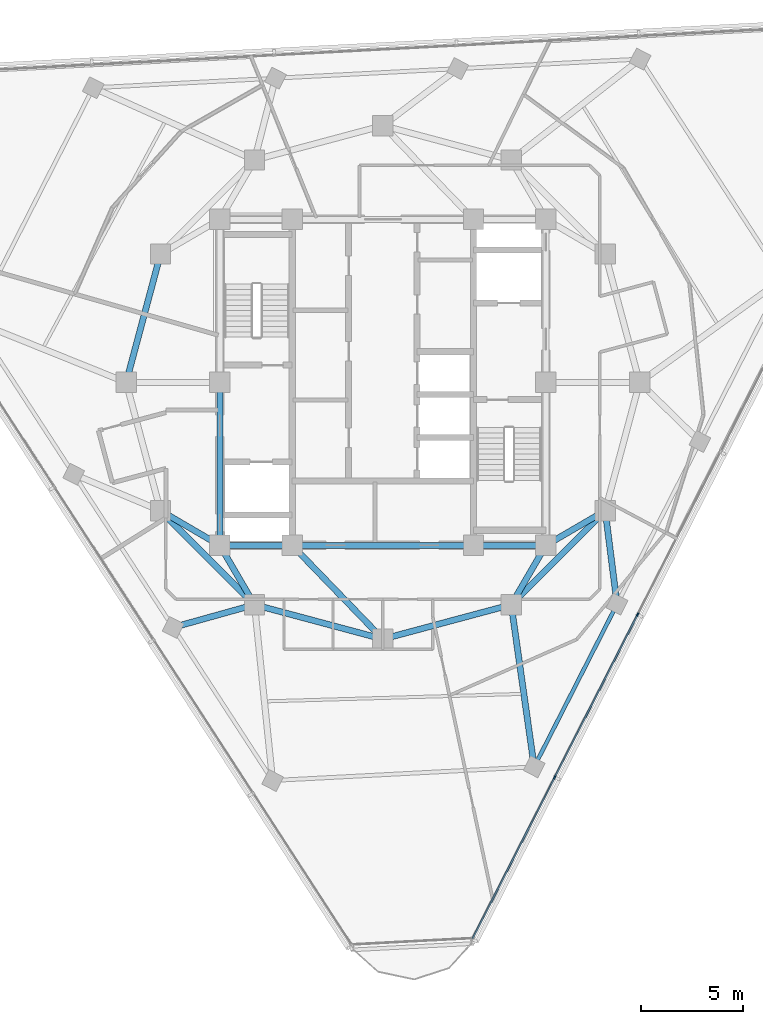
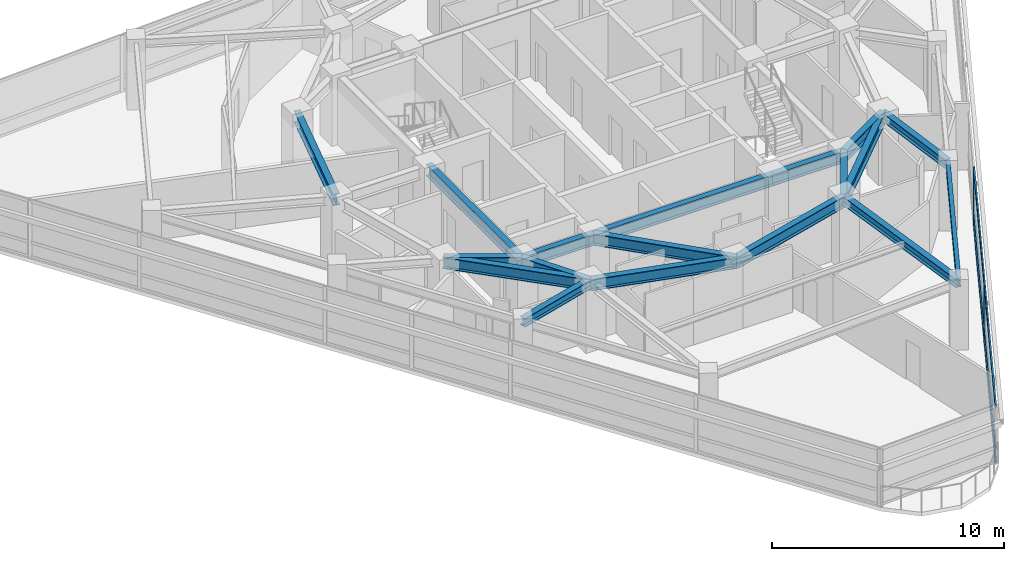
# One storey, part 3 of 15: 18 beams, 8 members, 1 element without a shape of its own.
"""IFC4 building model written with IfcOpenShell, lengths in metres."""

from ifc_helpers import new_model, si_unit, direction, frame, origin, origin_2d, place, context, subcontext, project, spatial, rectangle, i_section, extrude, material, layer, layer_set, material_profile, profile_set, type_object, element, aggregate, save


model = new_model("IFC4")

# Units and contexts
model_context = context("Model", 3, precision=1e-05, world=origin(), true_north=direction((0.0, 1.0)))
body_context = subcontext(model_context, "Body", "Model", "MODEL_VIEW")
ifc_project = project(units=[si_unit("LENGTHUNIT", "METRE"), si_unit("AREAUNIT", "SQUARE_METRE"), si_unit("VOLUMEUNIT", "CUBIC_METRE"), si_unit("PLANEANGLEUNIT", "RADIAN"), si_unit("MASSUNIT", "GRAM", prefix="KILO")], contexts=[model_context])

# Site, building, storey
site_placement = place(None, origin())
site = spatial("IfcSite", under=ifc_project, at=site_placement, CompositionType="ELEMENT")
building_placement = place(site_placement, origin())
building = spatial("IfcBuilding", under=site, at=building_placement, Name="Terralouvre Media Tower", CompositionType="ELEMENT")
storey_placement = place(building_placement, frame((0.0, 0.0, 259.60009765625)))
storey = spatial("IfcBuildingStorey", under=building, at=storey_placement, Name="L67", CompositionType="ELEMENT", Elevation=259.60009765625)

# Curtain wall, members
ifc_material_1 = material(Name="Low-iron laminated double glazing with solar-control coating", Category="glass")
ifc_layer = layer(ifc_material_1, 0.1650390625, Name="Upper Executive Tower Curtain Wall CW-05")
ifc_layer_set = layer_set([ifc_layer], Name="Low-iron laminated double glazing with solar-control coating")
curtain_wall_type = type_object("IfcCurtainWallType", Name="Upper Executive Tower Curtain Wall CW-05", PredefinedType="NOTDEFINED", material=ifc_layer_set)
curtain_wall_placement = place(storey_placement, origin())
curtain_wall = element("IfcCurtainWall", 1, at=curtain_wall_placement, inside=storey, type_object=curtain_wall_type, Name="L67 Facade Curtain Wall F0", PredefinedType="NOTDEFINED")
ifc_material_2 = material(Name="Anodised extruded aluminium 6063-T6", Category="aluminium")
ifc_material_profile_1 = material_profile(ifc_material_2, rectangle(XDim=0.074951171875, YDim=0.14990234375, at=origin_2d()), Name="ALU 75x150")
ifc_profile_set_1 = profile_set([ifc_material_profile_1], Name="Anodised extruded aluminium 6063-T6")
member_type_1 = type_object("IfcMemberType", Name="Curtain-Wall Horizontal Transom TR-150", PredefinedType="USERDEFINED", material=ifc_profile_set_1)
member_1_placement = place(storey_placement, frame((4.3994140625, -27.297607421875, 0.037353515625), z_axis=(0.453977864671, 0.891012961964, 0.0), x_axis=(-0.891012961964, 0.453977864671, 0.0)))
member_1 = element("IfcMember", 2, at=member_1_placement, type_object=member_type_1, Name="CW-05 transom 1.1", ObjectType="TRANSOM", PredefinedType="USERDEFINED", context=body_context, shape_type="SweptSolid", body=[
    extrude(rectangle(XDim=0.074951171875, YDim=0.14990234375, at=origin_2d()), origin(), (0.0, 0.0, 1.0), 8.84765625),
])
member_2_placement = place(storey_placement, frame((4.3994140625, -27.297607421875, 0.7998046875), z_axis=(0.453977864671, 0.891012961964, 0.0), x_axis=(-0.891012961964, 0.453977864671, 0.0)))
member_2 = element("IfcMember", 3, at=member_2_placement, type_object=member_type_1, Name="CW-05 transom 1.2", ObjectType="TRANSOM", PredefinedType="USERDEFINED", context=body_context, shape_type="SweptSolid", body=[
    extrude(rectangle(XDim=0.074951171875, YDim=0.14990234375, at=origin_2d()), origin(), (0.0, 0.0, 1.0), 8.84765625),
])
member_3_placement = place(storey_placement, frame((4.3994140625, -27.297607421875, 2.96240234375), z_axis=(0.453977864671, 0.891012961964, 0.0), x_axis=(-0.891012961964, 0.453977864671, 0.0)))
member_3 = element("IfcMember", 4, at=member_3_placement, type_object=member_type_1, Name="CW-05 transom 1.3", ObjectType="TRANSOM", PredefinedType="USERDEFINED", context=body_context, shape_type="SweptSolid", body=[
    extrude(rectangle(XDim=0.074951171875, YDim=0.14990234375, at=origin_2d()), origin(), (0.0, 0.0, 1.0), 8.84765625),
])
member_4_placement = place(storey_placement, frame((8.449951171875, -19.347412109375, 0.037353515625), z_axis=(0.454015101289, 0.890993988645, 0.0), x_axis=(-0.890993988645, 0.454015101289, 0.0)))
member_4 = element("IfcMember", 5, at=member_4_placement, type_object=member_type_1, Name="CW-05 transom 2.1", ObjectType="TRANSOM", PredefinedType="USERDEFINED", context=body_context, shape_type="SweptSolid", body=[
    extrude(rectangle(XDim=0.074951171875, YDim=0.14990234375, at=origin_2d()), origin(), (0.0, 0.0, 1.0), 8.885009765625),
])
member_5_placement = place(storey_placement, frame((8.449951171875, -19.347412109375, 0.7998046875), z_axis=(0.454015101289, 0.890993988645, 0.0), x_axis=(-0.890993988645, 0.454015101289, 0.0)))
member_5 = element("IfcMember", 6, at=member_5_placement, type_object=member_type_1, Name="CW-05 transom 2.2", ObjectType="TRANSOM", PredefinedType="USERDEFINED", context=body_context, shape_type="SweptSolid", body=[
    extrude(rectangle(XDim=0.074951171875, YDim=0.14990234375, at=origin_2d()), origin(), (0.0, 0.0, 1.0), 8.885009765625),
])
member_6_placement = place(storey_placement, frame((8.449951171875, -19.347412109375, 2.96240234375), z_axis=(0.454015101289, 0.890993988645, 0.0), x_axis=(-0.890993988645, 0.454015101289, 0.0)))
member_6 = element("IfcMember", 7, at=member_6_placement, type_object=member_type_1, Name="CW-05 transom 2.3", ObjectType="TRANSOM", PredefinedType="USERDEFINED", context=body_context, shape_type="SweptSolid", body=[
    extrude(rectangle(XDim=0.074951171875, YDim=0.14990234375, at=origin_2d()), origin(), (0.0, 0.0, 1.0), 8.885009765625),
])
ifc_material_3 = material(Name="Anodised extruded aluminium 6063-T6", Category="aluminium")
ifc_material_profile_2 = material_profile(ifc_material_3, rectangle(XDim=0.074951171875, YDim=0.179931640625, at=origin_2d()), Name="ALU 75x180")
ifc_profile_set_2 = profile_set([ifc_material_profile_2], Name="Anodised extruded aluminium 6063-T6")
member_type_2 = type_object("IfcMemberType", Name="Curtain-Wall Vertical Mullion ML-180", PredefinedType="MULLION", material=ifc_profile_set_2)
member_7_placement = place(storey_placement, frame((8.43310546875, -19.380859375, 0.0), z_axis=(0.0, 0.0, 1.0), x_axis=(-0.891006553308, 0.45399044259, 0.0)))
member_7 = element("IfcMember", 8, at=member_7_placement, type_object=member_type_2, Name="CW-05 mullion 2", PredefinedType="MULLION", context=body_context, shape_type="SweptSolid", body=[
    extrude(rectangle(XDim=0.074951171875, YDim=0.179931640625, at=origin_2d()), origin(), (0.0, 0.0, 1.0), 3.0),
])
member_8_placement = place(storey_placement, frame((12.500732421875, -11.3974609375, 0.0), z_axis=(0.0, 0.0, 1.0), x_axis=(-0.891006553308, 0.45399044259, 0.0)))
member_8 = element("IfcMember", 9, at=member_8_placement, type_object=member_type_2, Name="CW-05 mullion 3", PredefinedType="MULLION", context=body_context, shape_type="SweptSolid", body=[
    extrude(rectangle(XDim=0.074951171875, YDim=0.179931640625, at=origin_2d()), origin(), (0.0, 0.0, 1.0), 3.0),
])
aggregate(curtain_wall, [member_7, member_8, member_1, member_2, member_3, member_4, member_5, member_6])

# Beams
ifc_material_4 = material(Name="Structural steel S355J2", Category="steel")
ifc_material_profile_3 = material_profile(ifc_material_4, i_section(OverallWidth=0.18994140625, OverallDepth=0.449951171875, WebThickness=0.009521484375, FlangeThickness=0.0146484375, at=origin_2d()), Name="IPE 450")
ifc_profile_set_3 = profile_set([ifc_material_profile_3], Name="Structural steel S355J2")
beam_type_1 = type_object("IfcBeamType", Name="Perimeter Spandrel Beam SPB-450 (IPE 450)", PredefinedType="SPANDREL", material=ifc_profile_set_3)
beam_1_placement = place(storey_placement, frame((7.42626953125, -18.867919921875, 3.27490234375), z_axis=(0.453980068772, 0.891011838955, 0.0), x_axis=(-0.891011838955, 0.453980068772, 0.0)))
element("IfcBeam", 10, at=beam_1_placement, inside=storey, type_object=beam_type_1, Name="L67 Framing Beam BM-L67-PR04", PredefinedType="SPANDREL", context=body_context, shape_type="SweptSolid", body=[
    extrude(i_section(OverallWidth=0.18994140625, OverallDepth=0.449951171875, WebThickness=0.009521484375, FlangeThickness=0.0146484375, at=origin_2d()), origin(), (0.0, 0.0, 1.0), 8.9599609375),
])
ifc_material_5 = material(Name="Structural steel S355J2", Category="steel")
ifc_material_profile_4 = material_profile(ifc_material_5, i_section(OverallWidth=0.300048828125, OverallDepth=0.449951171875, WebThickness=0.013916015625, FlangeThickness=0.02587890625, at=origin_2d()), Name="HEB 450")
ifc_profile_set_4 = profile_set([ifc_material_profile_4], Name="Structural steel S355J2")
beam_type_2 = type_object("IfcBeamType", Name="Primary Floor Girder B-HEB450 (HEB 450)", PredefinedType="BEAM", material=ifc_profile_set_4)
beam_2_placement = place(storey_placement, frame((-6.300048828125, -10.911865234375, 3.27490234375), z_axis=(-0.963188145668, -0.268828190571, 0.0), x_axis=(0.268828190571, -0.963188145668, 0.0)))
element("IfcBeam", 11, at=beam_2_placement, inside=storey, type_object=beam_type_2, Name="L67 Framing Beam BM-L67-RD02", PredefinedType="BEAM", context=body_context, shape_type="SweptSolid", body=[
    extrude(i_section(OverallWidth=0.300048828125, OverallDepth=0.449951171875, WebThickness=0.013916015625, FlangeThickness=0.02587890625, at=origin_2d()), origin(), (0.0, 0.0, 1.0), 4.145751953125),
])
beam_3_placement = place(storey_placement, frame((6.300048828125, -10.911865234375, 3.27490234375), z_axis=(0.140157905782, -0.990129164022, 0.0), x_axis=(0.990129164022, 0.140157905782, 0.0)))
element("IfcBeam", 12, at=beam_3_placement, inside=storey, type_object=beam_type_2, Name="L67 Framing Beam BM-L67-RD04", PredefinedType="BEAM", context=body_context, shape_type="SweptSolid", body=[
    extrude(i_section(OverallWidth=0.300048828125, OverallDepth=0.449951171875, WebThickness=0.013916015625, FlangeThickness=0.02587890625, at=origin_2d()), origin(), (0.0, 0.0, 1.0), 8.035400390625),
])
beam_4_placement = place(storey_placement, frame((10.911865234375, -6.300048828125, 3.27490234375), z_axis=(0.125946128673, -0.992037082307, 0.0), x_axis=(0.992037082307, 0.125946128673, 0.0)))
element("IfcBeam", 13, at=beam_4_placement, inside=storey, type_object=beam_type_2, Name="L67 Framing Beam BM-L67-RD05", PredefinedType="BEAM", context=body_context, shape_type="SweptSolid", body=[
    extrude(i_section(OverallWidth=0.300048828125, OverallDepth=0.449951171875, WebThickness=0.013916015625, FlangeThickness=0.02587890625, at=origin_2d()), origin(), (0.0, 0.0, 1.0), 4.621337890625),
])
ifc_material_6 = material(Name="Structural steel S460M", Category="steel")
ifc_material_profile_5 = material_profile(ifc_material_6, i_section(OverallWidth=0.300048828125, OverallDepth=0.60009765625, WebThickness=0.015380859375, FlangeThickness=0.030029296875, at=origin_2d()), Name="HEB 600")
ifc_profile_set_5 = profile_set([ifc_material_profile_5], Name="Structural steel S460M")
beam_type_3 = type_object("IfcBeamType", Name="Primary Floor Girder B-HEB600 (HEB 600)", PredefinedType="BEAM", material=ifc_profile_set_5)
beam_5_placement = place(storey_placement, frame((-8.0, -8.0, 3.199951171875), z_axis=(1.0, 0.0, 0.0), x_axis=(0.0, 1.0, 0.0)))
element("IfcBeam", 14, at=beam_5_placement, inside=storey, type_object=beam_type_3, Name="L67 Framing Beam BM-L67-CPR01", PredefinedType="BEAM", context=body_context, shape_type="SweptSolid", body=[
    extrude(i_section(OverallWidth=0.300048828125, OverallDepth=0.60009765625, WebThickness=0.015380859375, FlangeThickness=0.030029296875, at=origin_2d()), origin(), (0.0, 0.0, 1.0), 3.550048828125),
])
beam_6_placement = place(storey_placement, frame((-4.449951171875, -8.0, 3.199951171875), z_axis=(1.0, 0.0, 0.0), x_axis=(0.0, 1.0, 0.0)))
element("IfcBeam", 15, at=beam_6_placement, inside=storey, type_object=beam_type_3, Name="L67 Framing Beam BM-L67-CPR02", PredefinedType="BEAM", context=body_context, shape_type="SweptSolid", body=[
    extrude(i_section(OverallWidth=0.300048828125, OverallDepth=0.60009765625, WebThickness=0.015380859375, FlangeThickness=0.030029296875, at=origin_2d()), origin(), (0.0, 0.0, 1.0), 8.89990234375),
])
beam_7_placement = place(storey_placement, frame((4.449951171875, -8.0, 3.199951171875), z_axis=(1.0, 0.0, 0.0), x_axis=(0.0, 1.0, 0.0)))
element("IfcBeam", 16, at=beam_7_placement, inside=storey, type_object=beam_type_3, Name="L67 Framing Beam BM-L67-CPR03", PredefinedType="BEAM", context=body_context, shape_type="SweptSolid", body=[
    extrude(i_section(OverallWidth=0.300048828125, OverallDepth=0.60009765625, WebThickness=0.015380859375, FlangeThickness=0.030029296875, at=origin_2d()), origin(), (0.0, 0.0, 1.0), 3.550048828125),
])
beam_8_placement = place(storey_placement, frame((-8.0, 0.0, 3.199951171875), z_axis=(0.0, -1.0, 0.0), x_axis=(1.0, 0.0, 0.0)))
element("IfcBeam", 17, at=beam_8_placement, inside=storey, type_object=beam_type_3, Name="L67 Framing Beam BM-L67-CPR10", PredefinedType="BEAM", context=body_context, shape_type="SweptSolid", body=[
    extrude(i_section(OverallWidth=0.300048828125, OverallDepth=0.60009765625, WebThickness=0.015380859375, FlangeThickness=0.030029296875, at=origin_2d()), origin(), (0.0, 0.0, 1.0), 8.0),
])
beam_9_placement = place(storey_placement, frame((-10.911865234375, -6.300048828125, 3.199951171875), z_axis=(0.707106781187, -0.707106781187, 0.0), x_axis=(0.707106781187, 0.707106781187, 0.0)))
element("IfcBeam", 18, at=beam_9_placement, inside=storey, type_object=beam_type_3, Name="L67 Framing Beam BM-L67-MR01", PredefinedType="BEAM", context=body_context, shape_type="SweptSolid", body=[
    extrude(i_section(OverallWidth=0.300048828125, OverallDepth=0.60009765625, WebThickness=0.015380859375, FlangeThickness=0.030029296875, at=origin_2d()), origin(), (0.0, 0.0, 1.0), 6.52197265625),
])
for number, where, z_axis, x_axis, name in (
    (19, (-6.300048828125, -10.911865234375, 3.199951171875), (0.965920481897, -0.258838989821, 0.0), (0.258838989821, 0.965920481897, 0.0), "L67 Framing Beam BM-L67-MR02"),
    (20, (0.0, -12.60009765625, 3.199951171875), (0.965920481897, 0.258838989821, 0.0), (-0.258838989821, 0.965920481897, 0.0), "L67 Framing Beam BM-L67-MR03"),
):
    element("IfcBeam", number, at=place(storey_placement, frame(where, z_axis=z_axis, x_axis=x_axis)), inside=storey, type_object=beam_type_3, Name=name, PredefinedType="BEAM", context=body_context, shape_type="SweptSolid", body=[
        extrude(i_section(OverallWidth=0.300048828125, OverallDepth=0.60009765625, WebThickness=0.015380859375, FlangeThickness=0.030029296875, at=origin_2d()), origin(), (0.0, 0.0, 1.0), 6.522216796875),
    ])
beam_10_placement = place(storey_placement, frame((6.300048828125, -10.911865234375, 3.199951171875), z_axis=(0.707106781187, 0.707106781187, 0.0), x_axis=(-0.707106781187, 0.707106781187, 0.0)))
element("IfcBeam", 21, at=beam_10_placement, inside=storey, type_object=beam_type_3, Name="L67 Framing Beam BM-L67-MR04", PredefinedType="BEAM", context=body_context, shape_type="SweptSolid", body=[
    extrude(i_section(OverallWidth=0.300048828125, OverallDepth=0.60009765625, WebThickness=0.015380859375, FlangeThickness=0.030029296875, at=origin_2d()), origin(), (0.0, 0.0, 1.0), 6.52197265625),
])
beam_11_placement = place(storey_placement, frame((-10.911865234375, 6.300048828125, 3.199951171875), z_axis=(-0.258838989821, -0.965920481897, 0.0), x_axis=(0.965920481897, -0.258838989821, 0.0)))
element("IfcBeam", 22, at=beam_11_placement, inside=storey, type_object=beam_type_3, Name="L67 Framing Beam BM-L67-MR11", PredefinedType="BEAM", context=body_context, shape_type="SweptSolid", body=[
    extrude(i_section(OverallWidth=0.300048828125, OverallDepth=0.60009765625, WebThickness=0.015380859375, FlangeThickness=0.030029296875, at=origin_2d()), origin(), (0.0, 0.0, 1.0), 6.522216796875),
])
for number, where, z_axis, x_axis, name in (
    (23, (-8.0, -8.0, 3.199951171875), (-0.863602894532, 0.504172629717, 0.0), (-0.504172629717, -0.863602894532, 0.0), "L67 Framing Beam BM-L67-CM01"),
    (24, (-8.0, -8.0, 3.199951171875), (0.504172629717, -0.863602894532, 0.0), (0.863602894532, 0.504172629717, 0.0), "L67 Framing Beam BM-L67-CM02"),
):
    element("IfcBeam", number, at=place(storey_placement, frame(where, z_axis=z_axis, x_axis=x_axis)), inside=storey, type_object=beam_type_3, Name=name, PredefinedType="BEAM", context=body_context, shape_type="SweptSolid", body=[
        extrude(i_section(OverallWidth=0.300048828125, OverallDepth=0.60009765625, WebThickness=0.015380859375, FlangeThickness=0.030029296875, at=origin_2d()), origin(), (0.0, 0.0, 1.0), 3.371826171875),
    ])
beam_12_placement = place(storey_placement, frame((-4.449951171875, -8.0, 3.199951171875), z_axis=(0.695279715726, -0.718739255155, 0.0), x_axis=(0.718739255155, 0.695279715726, 0.0)))
element("IfcBeam", 25, at=beam_12_placement, inside=storey, type_object=beam_type_3, Name="L67 Framing Beam BM-L67-CM03", PredefinedType="BEAM", context=body_context, shape_type="SweptSolid", body=[
    extrude(i_section(OverallWidth=0.300048828125, OverallDepth=0.60009765625, WebThickness=0.015380859375, FlangeThickness=0.030029296875, at=origin_2d()), origin(), (0.0, 0.0, 1.0), 6.400146484375),
])
for number, where, z_axis, x_axis, name in (
    (26, (8.0, -8.0, 3.199951171875), (-0.504172629717, -0.863602894532, 0.0), (0.863602894532, -0.504172629717, 0.0), "L67 Framing Beam BM-L67-CM04"),
    (27, (8.0, -8.0, 3.199951171875), (0.863602894532, 0.504172629717, 0.0), (-0.504172629717, 0.863602894532, 0.0), "L67 Framing Beam BM-L67-CM05"),
):
    element("IfcBeam", number, at=place(storey_placement, frame(where, z_axis=z_axis, x_axis=x_axis)), inside=storey, type_object=beam_type_3, Name=name, PredefinedType="BEAM", context=body_context, shape_type="SweptSolid", body=[
        extrude(i_section(OverallWidth=0.300048828125, OverallDepth=0.60009765625, WebThickness=0.015380859375, FlangeThickness=0.030029296875, at=origin_2d()), origin(), (0.0, 0.0, 1.0), 3.371826171875),
    ])

save(model, "model.ifc")
